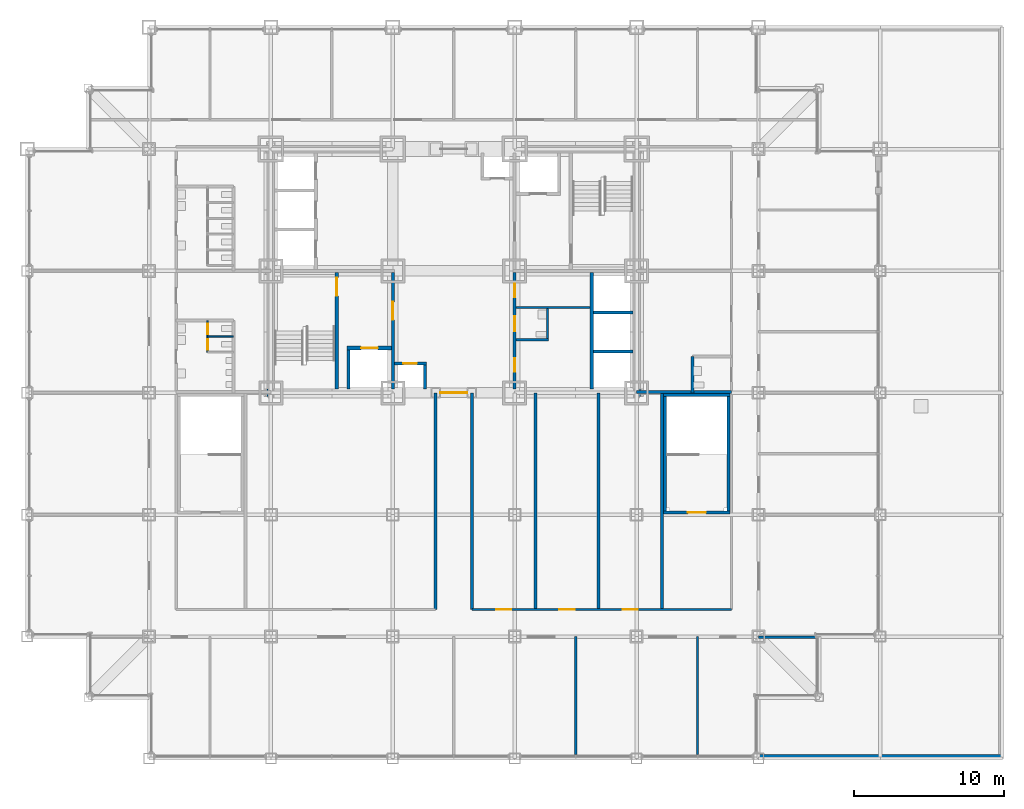
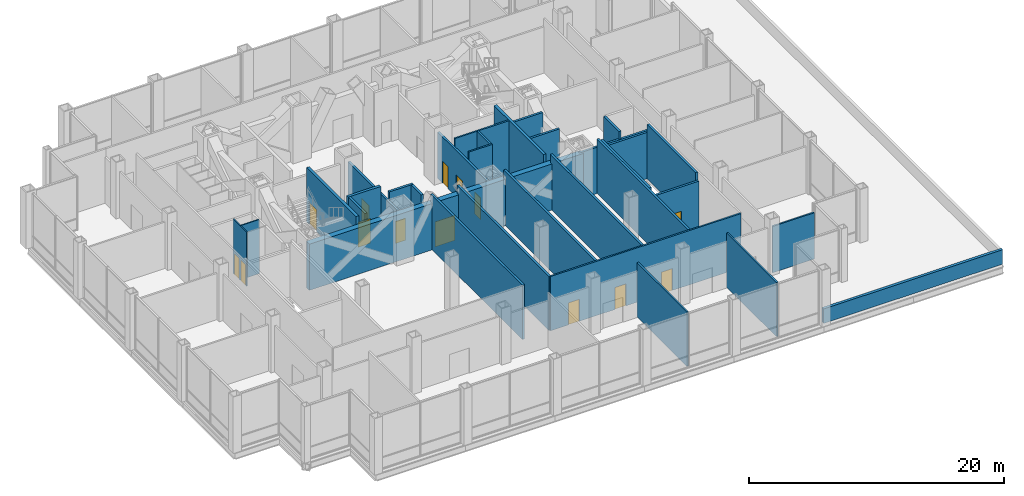
# One storey, part 13 of 18: 32 walls, 14 doors, 14 openings.
"""IFC4 building model written with IfcOpenShell, lengths in metres."""

from ifc_helpers import new_model, si_unit, direction, frame, frame_2d, origin, place, context, subcontext, project, spatial, rectangle, extrude, material, layer, layer_set, type_object, element, fill, save


model = new_model("IFC4")

# Units and contexts
model_context = context("Model", 3, precision=1e-05, world=origin(), true_north=direction((0.0, 1.0)))
body_context = subcontext(model_context, "Body", "Model", "MODEL_VIEW")
ifc_project = project(units=[si_unit("LENGTHUNIT", "METRE"), si_unit("AREAUNIT", "SQUARE_METRE"), si_unit("VOLUMEUNIT", "CUBIC_METRE"), si_unit("PLANEANGLEUNIT", "RADIAN"), si_unit("MASSUNIT", "GRAM", prefix="KILO")], contexts=[model_context])

# Site, building, storey
site_placement = place(None, origin())
site = spatial("IfcSite", under=ifc_project, at=site_placement, CompositionType="ELEMENT")
building_placement = place(site_placement, origin())
building = spatial("IfcBuilding", under=site, at=building_placement, Name="Kopane Lantern Tower", CompositionType="ELEMENT")
storey_placement = place(building_placement, frame((0.0, 0.0, 22.199951171875)))
storey = spatial("IfcBuildingStorey", under=building, at=storey_placement, Name="L04", CompositionType="ELEMENT", Elevation=22.199951171875)

# Wall, openings, doors
ifc_material_1 = material(Name="Moisture-resistant board on steel studs", Category="steel")
ifc_layer_1 = layer(ifc_material_1, 0.10009765625)
ifc_layer_set_1 = layer_set([ifc_layer_1], Name="BATHROOM WALL 100")
wall_type_1 = type_object("IfcWallType", Name="BATHROOM WALL 100", PredefinedType="PARTITIONING", material=ifc_layer_set_1)
wall_1_placement = place(storey_placement, frame((12.0, 27.0, 0.0), z_axis=(0.0, 0.0, 1.0), x_axis=(0.0, 1.0, 0.0)))
wall_1 = element("IfcWall", 1, at=wall_1_placement, inside=storey, type_object=wall_type_1, Name="Bathroom Wall 100 L04", PredefinedType="PARTITIONING", context=body_context, shape_type="SweptSolid", body=[
    extrude(rectangle(XDim=2.10009765625, YDim=0.10009765625, at=frame_2d((1.050048828125, 0.0))), origin(), (0.0, 0.0, 1.0), 5.18994140625),
])
opening_1_placement = place(wall_1_placement, frame((0.175048828125, 0.0, 0.0)))
opening_1 = element("IfcOpeningElement", 2, at=opening_1_placement, cuts=wall_1, Name="Opening L04-034", PredefinedType="OPENING", context=body_context, shape_type="SweptSolid", body=[
    extrude(rectangle(XDim=0.699951171875, YDim=2.0, at=frame_2d((0.35009765625, 1.0))), frame((0.0, 0.06005859375, 0.0), z_axis=(0.0, -1.0, 0.0), x_axis=(1.0, 0.0, 0.0)), (0.0, 0.0, 1.0), 0.1201171875),
])
opening_2_placement = place(wall_1_placement, frame((1.199951171875, 0.0, 0.0)))
opening_2 = element("IfcOpeningElement", 3, at=opening_2_placement, cuts=wall_1, Name="Opening L04-035", PredefinedType="OPENING", context=body_context, shape_type="SweptSolid", body=[
    extrude(rectangle(XDim=0.699951171875, YDim=2.0, at=frame_2d((0.35009765625, 1.0))), frame((0.0, 0.06005859375, 0.0), z_axis=(0.0, -1.0, 0.0), x_axis=(1.0, 0.0, 0.0)), (0.0, 0.0, 1.0), 0.1201171875),
])
ifc_material_2 = material(Name="Timber door set", Category="wood")
door_type_1 = type_object("IfcDoorType", Name="DOOR D13 700x2000 WC CUBICLE", OperationType="SINGLE_SWING_LEFT", PredefinedType="DOOR", material=ifc_material_2)
door_1_placement = place(opening_1_placement, origin())
door_1 = element("IfcDoor", 4, at=door_1_placement, inside=storey, type_object=door_type_1, Name="Door L04-034", OperationType="SINGLE_SWING_LEFT", OverallHeight=2.0, OverallWidth=0.699951171875, PredefinedType="DOOR", context=body_context, shape_type="SweptSolid", body=[
    extrude(rectangle(XDim=0.699951171875, YDim=2.0, at=frame_2d((0.35009765625, 1.0))), frame((0.0, 0.02490234375, 0.0), z_axis=(0.0, -1.0, 0.0), x_axis=(1.0, 0.0, 0.0)), (0.0, 0.0, 1.0), 0.050048828125),
])
fill(opening_1, door_1)
door_2_placement = place(opening_2_placement, origin())
door_2 = element("IfcDoor", 5, at=door_2_placement, inside=storey, type_object=door_type_1, Name="Door L04-035", OperationType="SINGLE_SWING_RIGHT", OverallHeight=2.0, OverallWidth=0.699951171875, PredefinedType="DOOR", context=body_context, shape_type="SweptSolid", body=[
    extrude(rectangle(XDim=0.699951171875, YDim=2.0, at=frame_2d((0.35009765625, 1.0))), frame((0.0, 0.02490234375, 0.0), z_axis=(0.0, -1.0, 0.0), x_axis=(1.0, 0.0, 0.0)), (0.0, 0.0, 1.0), 0.050048828125),
])
fill(opening_2, door_2)

# Wall
wall_2_placement = place(storey_placement, frame((12.0, 28.050048828125, 0.0), z_axis=(0.0, 0.0, 1.0), x_axis=(1.0, 0.0, 0.0)))
element("IfcWall", 6, at=wall_2_placement, inside=storey, type_object=wall_type_1, Name="Bathroom Wall 100 L04", PredefinedType="PARTITIONING", context=body_context, shape_type="SweptSolid", body=[
    extrude(rectangle(XDim=1.699951171875, YDim=0.10009765625, at=frame_2d((0.85009765625, 0.0))), origin(), (0.0, 0.0, 1.0), 5.18994140625),
])

# Wall, opening, door
ifc_material_3 = material(Name="Gypsum shaft wall EI 120", Category="gypsum")
ifc_layer_2 = layer(ifc_material_3, 0.5)
ifc_layer_set_2 = layer_set([ifc_layer_2], Name="CORE PERIMETER WALL 500 EI 120")
wall_type_2 = type_object("IfcWallType", Name="CORE PERIMETER WALL 500 EI 120", PredefinedType="SOLIDWALL", material=ifc_layer_set_2)
wall_3_placement = place(storey_placement, frame((15.949951171875, 24.300048828125, 0.0), z_axis=(0.0, 0.0, 1.0), x_axis=(1.0, 0.0, 0.0)))
wall_3 = element("IfcWall", 7, at=wall_3_placement, inside=storey, type_object=wall_type_2, Name="Core shaft wall L04 PS", PredefinedType="SOLIDWALL", context=body_context, shape_type="SweptSolid", body=[
    extrude(rectangle(XDim=24.800048828125, YDim=0.5, at=frame_2d((12.39990234375, 0.0))), origin(), (0.0, 0.0, 1.0), 4.427734375),
])
opening_3_placement = place(wall_3_placement, frame((11.5, 0.0, 0.0)))
opening_3 = element("IfcOpeningElement", 8, at=opening_3_placement, cuts=wall_3, Name="Opening 04.CE-S", PredefinedType="OPENING", context=body_context, shape_type="SweptSolid", body=[
    extrude(rectangle(XDim=1.800048828125, YDim=2.39990234375, at=frame_2d((0.89990234375, 1.199951171875))), frame((0.0, 0.260009765625, 0.0), z_axis=(0.0, -1.0, 0.0), x_axis=(1.0, 0.0, 0.0)), (0.0, 0.0, 1.0), 0.52001953125),
])
ifc_material_4 = material(Name="Steel door set", Category="steel")
door_type_2 = type_object("IfcDoorType", Name="CORE ENTRY DOOR 1800x2400 FD60S", OperationType="DOUBLE_DOOR_SINGLE_SWING", PredefinedType="DOOR", material=ifc_material_4)
door_3_placement = place(opening_3_placement, origin())
door_3 = element("IfcDoor", 9, at=door_3_placement, inside=storey, type_object=door_type_2, Name="Core entry door L04 south", OperationType="DOUBLE_DOOR_SINGLE_SWING", OverallHeight=2.39990234375, OverallWidth=1.800048828125, PredefinedType="DOOR", context=body_context, shape_type="SweptSolid", body=[
    extrude(rectangle(XDim=1.800048828125, YDim=2.39990234375, at=frame_2d((0.89990234375, 1.199951171875))), frame((0.0, 0.02490234375, 0.0), z_axis=(0.0, -1.0, 0.0), x_axis=(1.0, 0.0, 0.0)), (0.0, 0.0, 1.0), 0.050048828125),
])
fill(opening_3, door_3)

# Walls
ifc_material_5 = material(Name="Gypsum partition EI 60", Category="gypsum")
ifc_layer_3 = layer(ifc_material_5, 0.14990234375)
ifc_layer_set_3 = layer_set([ifc_layer_3], Name="CORE ROOM PARTITION 150 EI 60")
wall_type_3 = type_object("IfcWallType", Name="CORE ROOM PARTITION 150 EI 60", PredefinedType="PARTITIONING", material=ifc_layer_set_3)
wall_4_placement = place(storey_placement, frame((32.5, 27.824951171875, 0.0), z_axis=(0.0, 0.0, 1.0), x_axis=(1.0, 0.0, 0.0)))
element("IfcWall", 10, at=wall_4_placement, inside=storey, type_object=wall_type_3, Name="Core room partition L04 E1", PredefinedType="PARTITIONING", context=body_context, shape_type="SweptSolid", body=[
    extrude(rectangle(XDim=2.14990234375, YDim=0.14990234375, at=frame_2d((1.074951171875, 0.0))), origin(), (0.0, 0.0, 1.0), 5.18994140625),
])
wall_5_placement = place(storey_placement, frame((32.5, 29.97509765625, 0.0), z_axis=(0.0, 0.0, 1.0), x_axis=(1.0, 0.0, 0.0)))
element("IfcWall", 11, at=wall_5_placement, inside=storey, type_object=wall_type_3, Name="Core room partition L04 E2", PredefinedType="PARTITIONING", context=body_context, shape_type="SweptSolid", body=[
    extrude(rectangle(XDim=4.89990234375, YDim=0.14990234375, at=frame_2d((2.449951171875, 0.0))), origin(), (0.0, 0.0, 1.0), 5.18994140625),
])
wall_6_placement = place(storey_placement, frame((34.574951171875, 27.89990234375, 0.0), z_axis=(0.0, 0.0, 1.0), x_axis=(0.0, 1.0, 0.0)))
element("IfcWall", 12, at=wall_6_placement, inside=storey, type_object=wall_type_3, Name="Core room partition L04 EB1", PredefinedType="PARTITIONING", context=body_context, shape_type="SweptSolid", body=[
    extrude(rectangle(XDim=2.0, YDim=0.14990234375, at=frame_2d((1.0, 0.0))), origin(), (0.0, 0.0, 1.0), 5.18994140625),
])

# Wall, openings, doors
ifc_material_6 = material(Name="Gypsum partition EI 60", Category="gypsum")
ifc_layer_4 = layer(ifc_material_6, 0.199951171875)
ifc_layer_set_4 = layer_set([ifc_layer_4], Name="CORE ROOM WALL 200 EI 60")
wall_type_4 = type_object("IfcWallType", Name="CORE ROOM WALL 200 EI 60", PredefinedType="PARTITIONING", material=ifc_layer_set_4)
wall_7_placement = place(storey_placement, frame((32.39990234375, 24.550048828125, 0.0), z_axis=(0.0, 0.0, 1.0), x_axis=(0.0, 1.0, 0.0)))
wall_7 = element("IfcWall", 13, at=wall_7_placement, inside=storey, type_object=wall_type_4, Name="Core room wall L04 XE", PredefinedType="PARTITIONING", context=body_context, shape_type="SweptSolid", body=[
    extrude(rectangle(XDim=7.75, YDim=0.199951171875, at=frame_2d((3.875, 0.0))), origin(), (0.0, 0.0, 1.0), 4.427734375),
])
opening_4_placement = place(wall_7_placement, frame((1.14990234375, 0.0, 0.0)))
opening_4 = element("IfcOpeningElement", 14, at=opening_4_placement, cuts=wall_7, Name="Opening 04.C20", PredefinedType="OPENING", context=body_context, shape_type="SweptSolid", body=[
    extrude(rectangle(XDim=0.89990234375, YDim=2.10009765625, at=frame_2d((0.449951171875, 1.050048828125))), frame((0.0, 0.10986328125, 0.0), z_axis=(0.0, -1.0, 0.0), x_axis=(1.0, 0.0, 0.0)), (0.0, 0.0, 1.0), 0.219970703125),
])
opening_5_placement = place(wall_7_placement, frame((3.85009765625, 0.0, 0.0)))
opening_5 = element("IfcOpeningElement", 15, at=opening_5_placement, cuts=wall_7, Name="Opening 04.C21", PredefinedType="OPENING", context=body_context, shape_type="SweptSolid", body=[
    extrude(rectangle(XDim=1.0, YDim=2.10009765625, at=frame_2d((0.5, 1.050048828125))), frame((0.0, 0.10986328125, 0.0), z_axis=(0.0, -1.0, 0.0), x_axis=(1.0, 0.0, 0.0)), (0.0, 0.0, 1.0), 0.219970703125),
])
opening_6_placement = place(wall_7_placement, frame((6.10009765625, 0.0, 0.0)))
opening_6 = element("IfcOpeningElement", 16, at=opening_6_placement, cuts=wall_7, Name="Opening 04.C22", PredefinedType="OPENING", context=body_context, shape_type="SweptSolid", body=[
    extrude(rectangle(XDim=0.89990234375, YDim=2.10009765625, at=frame_2d((0.449951171875, 1.050048828125))), frame((0.0, 0.10986328125, 0.0), z_axis=(0.0, -1.0, 0.0), x_axis=(1.0, 0.0, 0.0)), (0.0, 0.0, 1.0), 0.219970703125),
])
ifc_material_7 = material(Name="Steel door set", Category="steel")
door_type_3 = type_object("IfcDoorType", Name="CORE ROOM DOOR 1000x2100 FD30S", OperationType="SINGLE_SWING_RIGHT", PredefinedType="DOOR", material=ifc_material_7)
door_4_placement = place(opening_5_placement, origin())
door_4 = element("IfcDoor", 17, at=door_4_placement, inside=storey, type_object=door_type_3, Name="Door Staff WC L04", OperationType="SINGLE_SWING_LEFT", OverallHeight=2.10009765625, OverallWidth=1.0, PredefinedType="DOOR", context=body_context, shape_type="SweptSolid", body=[
    extrude(rectangle(XDim=1.0, YDim=2.10009765625, at=frame_2d((0.5, 1.050048828125))), frame((0.0, 0.02490234375, 0.0), z_axis=(0.0, -1.0, 0.0), x_axis=(1.0, 0.0, 0.0)), (0.0, 0.0, 1.0), 0.050048828125),
])
fill(opening_5, door_4)
ifc_material_8 = material(Name="Steel door set", Category="steel")
door_type_4 = type_object("IfcDoorType", Name="CORE ROOM DOOR 900x2100 FD60", OperationType="SINGLE_SWING_LEFT", PredefinedType="DOOR", material=ifc_material_8)
door_5_placement = place(opening_4_placement, origin())
door_5 = element("IfcDoor", 18, at=door_5_placement, inside=storey, type_object=door_type_4, Name="Door Spa linen store L04", OperationType="SINGLE_SWING_LEFT", OverallHeight=2.10009765625, OverallWidth=0.89990234375, PredefinedType="DOOR", context=body_context, shape_type="SweptSolid", body=[
    extrude(rectangle(XDim=0.89990234375, YDim=2.10009765625, at=frame_2d((0.449951171875, 1.050048828125))), frame((0.0, 0.02490234375, 0.0), z_axis=(0.0, -1.0, 0.0), x_axis=(1.0, 0.0, 0.0)), (0.0, 0.0, 1.0), 0.050048828125),
])
fill(opening_4, door_5)
door_6_placement = place(opening_6_placement, origin())
door_6 = element("IfcDoor", 19, at=door_6_placement, inside=storey, type_object=door_type_4, Name="Door IT room L04", OperationType="SINGLE_SWING_RIGHT", OverallHeight=2.10009765625, OverallWidth=0.89990234375, PredefinedType="DOOR", context=body_context, shape_type="SweptSolid", body=[
    extrude(rectangle(XDim=0.89990234375, YDim=2.10009765625, at=frame_2d((0.449951171875, 1.050048828125))), frame((0.0, 0.02490234375, 0.0), z_axis=(0.0, -1.0, 0.0), x_axis=(1.0, 0.0, 0.0)), (0.0, 0.0, 1.0), 0.050048828125),
])
fill(opening_6, door_6)

# Wall, opening, door
ifc_material_9 = material(Name="Gypsum shaft wall EI 120", Category="gypsum")
ifc_layer_5 = layer(ifc_material_9, 0.25)
ifc_layer_set_5 = layer_set([ifc_layer_5], Name="CORE SHAFT WALL 250 EI 120")
wall_type_5 = type_object("IfcWallType", Name="CORE SHAFT WALL 250 EI 120", PredefinedType="SOLIDWALL", material=ifc_layer_set_5)
wall_8_placement = place(storey_placement, frame((20.574951171875, 24.550048828125, 0.0), z_axis=(0.0, 0.0, 1.0), x_axis=(0.0, 1.0, 0.0)))
wall_8 = element("IfcWall", 20, at=wall_8_placement, inside=storey, type_object=wall_type_5, Name="Core shaft wall L04 XST1", PredefinedType="SOLIDWALL", context=body_context, shape_type="SweptSolid", body=[
    extrude(rectangle(XDim=7.75, YDim=0.25, at=frame_2d((3.875, 0.0))), origin(), (0.0, 0.0, 1.0), 5.18994140625),
])
opening_7_placement = place(wall_8_placement, frame((6.199951171875, 0.0, 0.0)))
opening_7 = element("IfcOpeningElement", 21, at=opening_7_placement, cuts=wall_8, Name="Opening 04.SD1", PredefinedType="OPENING", context=body_context, shape_type="SweptSolid", body=[
    extrude(rectangle(XDim=1.199951171875, YDim=2.10009765625, at=frame_2d((0.60009765625, 1.050048828125))), frame((0.0, 0.135009765625, 0.0), z_axis=(0.0, -1.0, 0.0), x_axis=(1.0, 0.0, 0.0)), (0.0, 0.0, 1.0), 0.27001953125),
])
ifc_material_10 = material(Name="Steel door set", Category="steel")
door_type_5 = type_object("IfcDoorType", Name="STAIR DOOR 1200x2100 FD60S", OperationType="SINGLE_SWING_LEFT", PredefinedType="DOOR", material=ifc_material_10)
door_7_placement = place(opening_7_placement, origin())
door_7 = element("IfcDoor", 22, at=door_7_placement, inside=storey, type_object=door_type_5, Name="Stair door ST1 L04", OperationType="SINGLE_SWING_LEFT", OverallHeight=2.10009765625, OverallWidth=1.199951171875, PredefinedType="DOOR", context=body_context, shape_type="SweptSolid", body=[
    extrude(rectangle(XDim=1.199951171875, YDim=2.10009765625, at=frame_2d((0.60009765625, 1.050048828125))), frame((0.0, 0.02490234375, 0.0), z_axis=(0.0, -1.0, 0.0), x_axis=(1.0, 0.0, 0.0)), (0.0, 0.0, 1.0), 0.050048828125),
])
fill(opening_7, door_7)

wall_9_placement = place(storey_placement, frame((21.25, 27.27490234375, 0.0), z_axis=(0.0, 0.0, 1.0), x_axis=(1.0, 0.0, 0.0)))
wall_9 = element("IfcWall", 23, at=wall_9_placement, inside=storey, type_object=wall_type_5, Name="Core shaft wall L04 YLF1", PredefinedType="SOLIDWALL", context=body_context, shape_type="SweptSolid", body=[
    extrude(rectangle(XDim=2.949951171875, YDim=0.25, at=frame_2d((1.47509765625, 0.0))), origin(), (0.0, 0.0, 1.0), 5.18994140625),
])
opening_8_placement = place(wall_9_placement, frame((0.949951171875, 0.0, 0.0)))
opening_8 = element("IfcOpeningElement", 24, at=opening_8_placement, cuts=wall_9, Name="Opening 04.LD-LF1", PredefinedType="OPENING", context=body_context, shape_type="SweptSolid", body=[
    extrude(rectangle(XDim=1.10009765625, YDim=2.39990234375, at=frame_2d((0.550048828125, 1.199951171875))), frame((0.0, 0.135009765625, 0.0), z_axis=(0.0, -1.0, 0.0), x_axis=(1.0, 0.0, 0.0)), (0.0, 0.0, 1.0), 0.27001953125),
])
ifc_material_11 = material(Name="Steel door set", Category="steel")
door_type_6 = type_object("IfcDoorType", Name="LIFT LANDING DOOR 1100x2400 FD60", OperationType="DOUBLE_DOOR_SLIDING", PredefinedType="DOOR", material=ifc_material_11)
door_8_placement = place(opening_8_placement, origin())
door_8 = element("IfcDoor", 25, at=door_8_placement, inside=storey, type_object=door_type_6, Name="Landing door LF1 L04", OperationType="DOUBLE_DOOR_SLIDING", OverallHeight=2.39990234375, OverallWidth=1.10009765625, PredefinedType="DOOR", context=body_context, shape_type="SweptSolid", body=[
    extrude(rectangle(XDim=1.10009765625, YDim=2.39990234375, at=frame_2d((0.550048828125, 1.199951171875))), frame((0.0, 0.02490234375, 0.0), z_axis=(0.0, -1.0, 0.0), x_axis=(1.0, 0.0, 0.0)), (0.0, 0.0, 1.0), 0.050048828125),
])
fill(opening_8, door_8)

# Wall
wall_10_placement = place(storey_placement, frame((37.52490234375, 24.550048828125, 0.0), z_axis=(0.0, 0.0, 1.0), x_axis=(0.0, 1.0, 0.0)))
element("IfcWall", 26, at=wall_10_placement, inside=storey, type_object=wall_type_5, Name="Core shaft wall L04 XLR", PredefinedType="SOLIDWALL", context=body_context, shape_type="SweptSolid", body=[
    extrude(rectangle(XDim=7.75, YDim=0.25, at=frame_2d((3.875, 0.0))), origin(), (0.0, 0.0, 1.0), 5.18994140625),
])

# Wall, openings, doors
ifc_material_12 = material(Name="Gypsum board on steel studs", Category="steel")
ifc_layer_6 = layer(ifc_material_12, 0.14990234375)
ifc_layer_set_6 = layer_set([ifc_layer_6], Name="CORRIDOR WALL 150 EI 60")
wall_type_6 = type_object("IfcWallType", Name="CORRIDOR WALL 150 EI 60", PredefinedType="PARTITIONING", material=ifc_layer_set_6)
wall_11_placement = place(storey_placement, frame((29.56005859375, 9.89990234375, 0.0), z_axis=(0.0, 0.0, 1.0), x_axis=(1.0, 0.0, 0.0)))
wall_11 = element("IfcWall", 27, at=wall_11_placement, inside=storey, type_object=wall_type_6, Name="Corridor Wall 150 Ei 60 L04", PredefinedType="PARTITIONING", context=body_context, shape_type="SweptSolid", body=[
    extrude(rectangle(XDim=17.239990234375, YDim=0.14990234375, at=frame_2d((8.6201171875, 0.0))), origin(), (0.0, 0.0, 1.0), 5.18994140625),
])
opening_9_placement = place(wall_11_placement, frame((1.598388671875, 0.0, 0.0)))
opening_9 = element("IfcOpeningElement", 28, at=opening_9_placement, cuts=wall_11, Name="Opening L04-009", PredefinedType="OPENING", context=body_context, shape_type="SweptSolid", body=[
    extrude(rectangle(XDim=1.0, YDim=2.10009765625, at=frame_2d((0.5, 1.050048828125))), frame((0.0, 0.0849609375, 0.0), z_axis=(0.0, -1.0, 0.0), x_axis=(1.0, 0.0, 0.0)), (0.0, 0.0, 1.0), 0.169921875),
])
opening_10_placement = place(wall_11_placement, frame((5.81494140625, 0.0, 0.0)))
opening_10 = element("IfcOpeningElement", 29, at=opening_10_placement, cuts=wall_11, Name="Opening L04-010", PredefinedType="OPENING", context=body_context, shape_type="SweptSolid", body=[
    extrude(rectangle(XDim=1.0, YDim=2.10009765625, at=frame_2d((0.5, 1.050048828125))), frame((0.0, 0.0849609375, 0.0), z_axis=(0.0, -1.0, 0.0), x_axis=(1.0, 0.0, 0.0)), (0.0, 0.0, 1.0), 0.169921875),
])
opening_11_placement = place(wall_11_placement, frame((10.03173828125, 0.0, 0.0)))
opening_11 = element("IfcOpeningElement", 30, at=opening_11_placement, cuts=wall_11, Name="Opening L04-011", PredefinedType="OPENING", context=body_context, shape_type="SweptSolid", body=[
    extrude(rectangle(XDim=1.0, YDim=2.10009765625, at=frame_2d((0.5, 1.050048828125))), frame((0.0, 0.0849609375, 0.0), z_axis=(0.0, -1.0, 0.0), x_axis=(1.0, 0.0, 0.0)), (0.0, 0.0, 1.0), 0.169921875),
])
ifc_material_13 = material(Name="Steel door set", Category="steel")
door_type_7 = type_object("IfcDoorType", Name="DOOR D5 1000x2100 FD60", OperationType="SINGLE_SWING_LEFT", PredefinedType="DOOR", material=ifc_material_13)
door_9_placement = place(opening_9_placement, origin())
door_9 = element("IfcDoor", 31, at=door_9_placement, inside=storey, type_object=door_type_7, Name="Door L04-009", OperationType="SINGLE_SWING_LEFT", OverallHeight=2.10009765625, OverallWidth=1.0, PredefinedType="DOOR", context=body_context, shape_type="SweptSolid", body=[
    extrude(rectangle(XDim=1.0, YDim=2.10009765625, at=frame_2d((0.5, 1.050048828125))), frame((0.0, 0.02490234375, 0.0), z_axis=(0.0, -1.0, 0.0), x_axis=(1.0, 0.0, 0.0)), (0.0, 0.0, 1.0), 0.050048828125),
])
fill(opening_9, door_9)
door_10_placement = place(opening_10_placement, origin())
door_10 = element("IfcDoor", 32, at=door_10_placement, inside=storey, type_object=door_type_7, Name="Door L04-010", OperationType="SINGLE_SWING_RIGHT", OverallHeight=2.10009765625, OverallWidth=1.0, PredefinedType="DOOR", context=body_context, shape_type="SweptSolid", body=[
    extrude(rectangle(XDim=1.0, YDim=2.10009765625, at=frame_2d((0.5, 1.050048828125))), frame((0.0, 0.02490234375, 0.0), z_axis=(0.0, -1.0, 0.0), x_axis=(1.0, 0.0, 0.0)), (0.0, 0.0, 1.0), 0.050048828125),
])
fill(opening_10, door_10)
door_11_placement = place(opening_11_placement, origin())
door_11 = element("IfcDoor", 33, at=door_11_placement, inside=storey, type_object=door_type_7, Name="Door L04-011", OperationType="SINGLE_SWING_LEFT", OverallHeight=2.10009765625, OverallWidth=1.0, PredefinedType="DOOR", context=body_context, shape_type="SweptSolid", body=[
    extrude(rectangle(XDim=1.0, YDim=2.10009765625, at=frame_2d((0.5, 1.050048828125))), frame((0.0, 0.02490234375, 0.0), z_axis=(0.0, -1.0, 0.0), x_axis=(1.0, 0.0, 0.0)), (0.0, 0.0, 1.0), 0.050048828125),
])
fill(opening_11, door_11)

# Walls
ifc_material_14 = material(Name="Gypsum board on steel studs", Category="steel")
ifc_layer_7 = layer(ifc_material_14, 0.14990234375)
ifc_layer_set_7 = layer_set([ifc_layer_7], Name="DEMISING WALL 150 EI 60")
wall_type_7 = type_object("IfcWallType", Name="DEMISING WALL 150 EI 60", PredefinedType="PARTITIONING", material=ifc_layer_set_7)
wall_12_placement = place(storey_placement, frame((36.449951171875, 8.10009765625, 0.0), z_axis=(0.0, 0.0, 1.0), x_axis=(0.0, -1.0, 0.0)))
element("IfcWall", 34, at=wall_12_placement, inside=storey, type_object=wall_type_7, Name="Demising Wall 150 Ei 60 L04", PredefinedType="PARTITIONING", context=body_context, shape_type="SweptSolid", body=[
    extrude(rectangle(XDim=7.834716796875, YDim=0.14990234375, at=frame_2d((3.91748046875, 0.0))), origin(), (0.0, 0.0, 1.0), 5.18994140625),
])
wall_13_placement = place(storey_placement, frame((48.60009765625, 8.06494140625, 0.0), z_axis=(0.0, 0.0, 1.0), x_axis=(1.0, 0.0, 0.0)))
element("IfcWall", 35, at=wall_13_placement, inside=storey, type_object=wall_type_7, Name="Demising Wall 150 Ei 60 L04", PredefinedType="PARTITIONING", context=body_context, shape_type="SweptSolid", body=[
    extrude(rectangle(XDim=3.784423828125, YDim=0.14990234375, at=frame_2d((1.89208984375, 0.0))), origin(), (0.0, 0.0, 1.0), 4.427734375),
])
wall_14_placement = place(storey_placement, frame((44.550048828125, 8.10009765625, 0.0), z_axis=(0.0, 0.0, 1.0), x_axis=(0.0, -1.0, 0.0)))
element("IfcWall", 36, at=wall_14_placement, inside=storey, type_object=wall_type_7, Name="Demising Wall 150 Ei 60 L04", PredefinedType="PARTITIONING", context=body_context, shape_type="SweptSolid", body=[
    extrude(rectangle(XDim=7.834716796875, YDim=0.14990234375, at=frame_2d((3.91748046875, 0.0))), origin(), (0.0, 0.0, 1.0), 5.18994140625),
])
ifc_material_15 = material(Name="Terracotta rainscreen on light steel framing", Category="masonry")
ifc_layer_8 = layer(ifc_material_15, 0.25)
ifc_layer_set_8 = layer_set([ifc_layer_8], Name="PARAPET PW1 250 TERRACOTTA")
wall_type_8 = type_object("IfcWallType", Name="PARAPET PW1 250 TERRACOTTA", PredefinedType="PARAPET", material=ifc_layer_set_8)
wall_15_placement = place(storey_placement, frame((48.60009765625, 0.125, 0.0), z_axis=(0.0, 0.0, 1.0), x_axis=(1.0, 0.0, 0.0)))
element("IfcWall", 37, at=wall_15_placement, inside=storey, type_object=wall_type_8, Name="Parapet L04", PredefinedType="PARAPET", context=body_context, shape_type="SweptSolid", body=[
    extrude(rectangle(XDim=16.199951171875, YDim=0.25, at=frame_2d((8.10009765625, 0.0))), origin(), (0.0, 0.0, 1.0), 1.380126953125),
])
ifc_material_16 = material(Name="Concrete masonry", Category="masonry")
ifc_layer_9 = layer(ifc_material_16, 0.199951171875)
ifc_layer_set_9 = layer_set([ifc_layer_9], Name="PLANT ROOM WALL 200 EI 120")
wall_type_9 = type_object("IfcWallType", Name="PLANT ROOM WALL 200 EI 120", PredefinedType="SOLIDWALL", material=ifc_layer_set_9)
wall_16_placement = place(storey_placement, frame((44.199951171875, 24.300048828125, 0.0), z_axis=(0.0, 0.0, 1.0), x_axis=(0.0, 1.0, 0.0)))
element("IfcWall", 38, at=wall_16_placement, inside=storey, type_object=wall_type_9, Name="Plant Room Wall 200 Ei 120 L04", PredefinedType="SOLIDWALL", context=body_context, shape_type="SweptSolid", body=[
    extrude(rectangle(XDim=2.39990234375, YDim=0.199951171875, at=frame_2d((1.199951171875, 0.0))), origin(), (0.0, 0.0, 1.0), 5.18994140625),
])
for number, where, z_axis, x_axis, name in (
    (39, (33.7666015625, 9.89990234375, 0.0), (0.0, 0.0, 1.0), (0.0, 1.0, 0.0), "Plant Room Wall 200 Ei 120 L04"),
    (40, (37.9833984375, 9.89990234375, 0.0), (0.0, 0.0, 1.0), (0.0, 1.0, 0.0), "Plant Room Wall 200 Ei 120 L04"),
    (41, (42.199951171875, 9.89990234375, 0.0), (0.0, 0.0, 1.0), (0.0, 1.0, 0.0), "Plant Room Wall 200 Ei 120 L04"),
    (42, (27.14990234375, 9.89990234375, 0.0), (0.0, 0.0, 1.0), (0.0, 1.0, 0.0), "Plant Room Wall 200 Ei 120 L04"),
    (43, (29.550048828125, 9.89990234375, 0.0), (0.0, 0.0, 1.0), (0.0, 1.0, 0.0), "Plant Room Wall 200 Ei 120 L04"),
):
    element("IfcWall", number, at=place(storey_placement, frame(where, z_axis=z_axis, x_axis=x_axis)), inside=storey, type_object=wall_type_9, Name=name, PredefinedType="SOLIDWALL", context=body_context, shape_type="SweptSolid", body=[
        extrude(rectangle(XDim=14.400146484375, YDim=0.199951171875, at=frame_2d((7.2001953125, 0.0))), origin(), (0.0, 0.0, 1.0), 5.18994140625),
    ])
wall_17_placement = place(storey_placement, frame((40.5, 24.35009765625, 0.0), z_axis=(0.0, 0.0, 1.0), x_axis=(1.0, 0.0, 0.0)))
element("IfcWall", 44, at=wall_17_placement, inside=storey, type_object=wall_type_9, Name="Plant Room Wall 200 Ei 120 L04", PredefinedType="SOLIDWALL", context=body_context, shape_type="SweptSolid", body=[
    extrude(rectangle(XDim=6.300048828125, YDim=0.199951171875, at=frame_2d((3.14990234375, 0.0))), origin(), (0.0, 0.0, 1.0), 4.427734375),
])

# Wall, opening, door
ifc_material_17 = material(Name="Gypsum shaft wall EI 120", Category="gypsum")
ifc_layer_10 = layer(ifc_material_17, 0.199951171875)
ifc_layer_set_10 = layer_set([ifc_layer_10], Name="SHAFT WALL 200 EI 120")
wall_type_10 = type_object("IfcWallType", Name="SHAFT WALL 200 EI 120", PredefinedType="SOLIDWALL", material=ifc_layer_set_10)
wall_18_placement = place(storey_placement, frame((24.300048828125, 24.550048828125, 0.0), z_axis=(0.0, 0.0, 1.0), x_axis=(0.0, 1.0, 0.0)))
wall_18 = element("IfcWall", 45, at=wall_18_placement, inside=storey, type_object=wall_type_10, Name="Core shaft wall L04 X243", PredefinedType="SOLIDWALL", context=body_context, shape_type="SweptSolid", body=[
    extrude(rectangle(XDim=7.75, YDim=0.199951171875, at=frame_2d((3.875, 0.0))), origin(), (0.0, 0.0, 1.0), 4.427734375),
])
opening_12_placement = place(wall_18_placement, frame((4.60009765625, 0.0, 0.0)))
opening_12 = element("IfcOpeningElement", 46, at=opening_12_placement, cuts=wall_18, Name="Opening 04.FL1", PredefinedType="OPENING", context=body_context, shape_type="SweptSolid", body=[
    extrude(rectangle(XDim=1.199951171875, YDim=2.10009765625, at=frame_2d((0.60009765625, 1.050048828125))), frame((0.0, 0.10986328125, 0.0), z_axis=(0.0, -1.0, 0.0), x_axis=(1.0, 0.0, 0.0)), (0.0, 0.0, 1.0), 0.219970703125),
])
ifc_material_18 = material(Name="Steel door set", Category="steel")
door_type_8 = type_object("IfcDoorType", Name="FIREFIGHTING LOBBY DOOR 1200x2100 FD60S", OperationType="SINGLE_SWING_RIGHT", PredefinedType="DOOR", material=ifc_material_18)
door_12_placement = place(opening_12_placement, origin())
door_12 = element("IfcDoor", 47, at=door_12_placement, inside=storey, type_object=door_type_8, Name="Firefighting lobby door FL1 L04", OperationType="SINGLE_SWING_LEFT", OverallHeight=2.10009765625, OverallWidth=1.199951171875, PredefinedType="DOOR", context=body_context, shape_type="SweptSolid", body=[
    extrude(rectangle(XDim=1.199951171875, YDim=2.10009765625, at=frame_2d((0.60009765625, 1.050048828125))), frame((0.0, 0.02490234375, 0.0), z_axis=(0.0, -1.0, 0.0), x_axis=(1.0, 0.0, 0.0)), (0.0, 0.0, 1.0), 0.050048828125),
])
fill(opening_12, door_12)

# Walls
wall_19_placement = place(storey_placement, frame((21.35009765625, 24.550048828125, 0.0), z_axis=(0.0, 0.0, 1.0), x_axis=(0.0, 1.0, 0.0)))
element("IfcWall", 48, at=wall_19_placement, inside=storey, type_object=wall_type_10, Name="Core shaft wall L04 XLF1", PredefinedType="SOLIDWALL", context=body_context, shape_type="SweptSolid", body=[
    extrude(rectangle(XDim=2.599853515625, YDim=0.199951171875, at=frame_2d((1.2998046875, 0.0))), origin(), (0.0, 0.0, 1.0), 5.18994140625),
])
wall_20_placement = place(storey_placement, frame((26.449951171875, 24.550048828125, 0.0), z_axis=(0.0, 0.0, 1.0), x_axis=(0.0, 1.0, 0.0)))
element("IfcWall", 49, at=wall_20_placement, inside=storey, type_object=wall_type_10, Name="Core shaft wall L04 XRS1", PredefinedType="SOLIDWALL", context=body_context, shape_type="SweptSolid", body=[
    extrude(rectangle(XDim=1.599853515625, YDim=0.199951171875, at=frame_2d((0.7998046875, 0.0))), origin(), (0.0, 0.0, 1.0), 5.18994140625),
])

# Wall, opening, door
wall_21_placement = place(storey_placement, frame((24.39990234375, 26.25, 0.0), z_axis=(0.0, 0.0, 1.0), x_axis=(1.0, 0.0, 0.0)))
wall_21 = element("IfcWall", 50, at=wall_21_placement, inside=storey, type_object=wall_type_10, Name="Core shaft wall L04 YRS1", PredefinedType="SOLIDWALL", context=body_context, shape_type="SweptSolid", body=[
    extrude(rectangle(XDim=2.150146484375, YDim=0.199951171875, at=frame_2d((1.0751953125, 0.0))), origin(), (0.0, 0.0, 1.0), 5.18994140625),
])
opening_13_placement = place(wall_21_placement, frame((0.60009765625, 0.0, 0.0)))
opening_13 = element("IfcOpeningElement", 51, at=opening_13_placement, cuts=wall_21, Name="Opening 04.RS1", PredefinedType="OPENING", context=body_context, shape_type="SweptSolid", body=[
    extrude(rectangle(XDim=0.89990234375, YDim=2.10009765625, at=frame_2d((0.449951171875, 1.050048828125))), frame((0.0, 0.10986328125, 0.0), z_axis=(0.0, -1.0, 0.0), x_axis=(1.0, 0.0, 0.0)), (0.0, 0.0, 1.0), 0.219970703125),
])
ifc_material_19 = material(Name="Steel door set", Category="steel")
door_type_9 = type_object("IfcDoorType", Name="RISER ACCESS DOOR 900x2100 FD60", OperationType="SINGLE_SWING_LEFT", PredefinedType="DOOR", material=ifc_material_19)
door_13_placement = place(opening_13_placement, origin())
door_13 = element("IfcDoor", 52, at=door_13_placement, inside=storey, type_object=door_type_9, Name="Riser access door RS1 L04", OperationType="SINGLE_SWING_LEFT", OverallHeight=2.10009765625, OverallWidth=0.89990234375, PredefinedType="DOOR", context=body_context, shape_type="SweptSolid", body=[
    extrude(rectangle(XDim=0.89990234375, YDim=2.10009765625, at=frame_2d((0.449951171875, 1.050048828125))), frame((0.0, 0.02490234375, 0.0), z_axis=(0.0, -1.0, 0.0), x_axis=(1.0, 0.0, 0.0)), (0.0, 0.0, 1.0), 0.050048828125),
])
fill(opening_13, door_13)

# Walls
for number, where, z_axis, x_axis, name in (
    (53, (37.64990234375, 27.050048828125, 0.0), (0.0, 0.0, 1.0), (1.0, 0.0, 0.0), "Core shaft wall L04 YLR12"),
    (54, (37.64990234375, 29.64990234375, 0.0), (0.0, 0.0, 1.0), (1.0, 0.0, 0.0), "Core shaft wall L04 YLR23"),
):
    element("IfcWall", number, at=place(storey_placement, frame(where, z_axis=z_axis, x_axis=x_axis)), inside=storey, type_object=wall_type_10, Name=name, PredefinedType="SOLIDWALL", context=body_context, shape_type="SweptSolid", body=[
        extrude(rectangle(XDim=2.60009765625, YDim=0.199951171875, at=frame_2d((1.300048828125, 0.0))), origin(), (0.0, 0.0, 1.0), 5.18994140625),
    ])

# Wall, opening, door
wall_22_placement = place(storey_placement, frame((42.300048828125, 16.35009765625, 0.0), z_axis=(0.0, 0.0, 1.0), x_axis=(1.0, 0.0, 0.0)))
wall_22 = element("IfcWall", 55, at=wall_22_placement, inside=storey, type_object=wall_type_10, Name="Stair enclosure wall ST4 L04", PredefinedType="SOLIDWALL", context=body_context, shape_type="SweptSolid", body=[
    extrude(rectangle(XDim=4.39990234375, YDim=0.199951171875, at=frame_2d((2.199951171875, 0.0))), origin(), (0.0, 0.0, 1.0), 4.427734375),
])
opening_14_placement = place(wall_22_placement, frame((1.60009765625, 0.0, 0.0)))
opening_14 = element("IfcOpeningElement", 56, at=opening_14_placement, cuts=wall_22, Name="Opening 04.SD4", PredefinedType="OPENING", context=body_context, shape_type="SweptSolid", body=[
    extrude(rectangle(XDim=1.199951171875, YDim=2.10009765625, at=frame_2d((0.60009765625, 1.050048828125))), frame((0.0, 0.10986328125, 0.0), z_axis=(0.0, -1.0, 0.0), x_axis=(1.0, 0.0, 0.0)), (0.0, 0.0, 1.0), 0.219970703125),
])
door_14_placement = place(opening_14_placement, origin())
door_14 = element("IfcDoor", 57, at=door_14_placement, inside=storey, type_object=door_type_5, Name="Stair door ST4 L04", OperationType="SINGLE_SWING_LEFT", OverallHeight=2.10009765625, OverallWidth=1.199951171875, PredefinedType="DOOR", context=body_context, shape_type="SweptSolid", body=[
    extrude(rectangle(XDim=1.199951171875, YDim=2.10009765625, at=frame_2d((0.60009765625, 1.050048828125))), frame((0.0, 0.02490234375, 0.0), z_axis=(0.0, -1.0, 0.0), x_axis=(1.0, 0.0, 0.0)), (0.0, 0.0, 1.0), 0.050048828125),
])
fill(opening_14, door_14)

# Walls
wall_23_placement = place(storey_placement, frame((42.300048828125, 24.14990234375, 0.0), z_axis=(0.0, 0.0, 1.0), x_axis=(1.0, 0.0, 0.0)))
element("IfcWall", 58, at=wall_23_placement, inside=storey, type_object=wall_type_10, Name="Stair enclosure wall ST4 L04", PredefinedType="SOLIDWALL", context=body_context, shape_type="SweptSolid", body=[
    extrude(rectangle(XDim=4.39990234375, YDim=0.199951171875, at=frame_2d((2.199951171875, 0.0))), origin(), (0.0, 0.0, 1.0), 4.427734375),
])
for number, where, z_axis, x_axis, name in (
    (59, (42.39990234375, 16.449951171875, 0.0), (0.0, 0.0, 1.0), (0.0, 1.0, 0.0), "Stair enclosure wall ST4 L04"),
    (60, (46.60009765625, 16.449951171875, 0.0), (0.0, 0.0, 1.0), (0.0, 1.0, 0.0), "Stair enclosure wall ST4 L04"),
):
    element("IfcWall", number, at=place(storey_placement, frame(where, z_axis=z_axis, x_axis=x_axis)), inside=storey, type_object=wall_type_10, Name=name, PredefinedType="SOLIDWALL", context=body_context, shape_type="SweptSolid", body=[
        extrude(rectangle(XDim=7.60009765625, YDim=0.199951171875, at=frame_2d((3.800048828125, 0.0))), origin(), (0.0, 0.0, 1.0), 5.18994140625),
    ])

save(model, "model.ifc")
